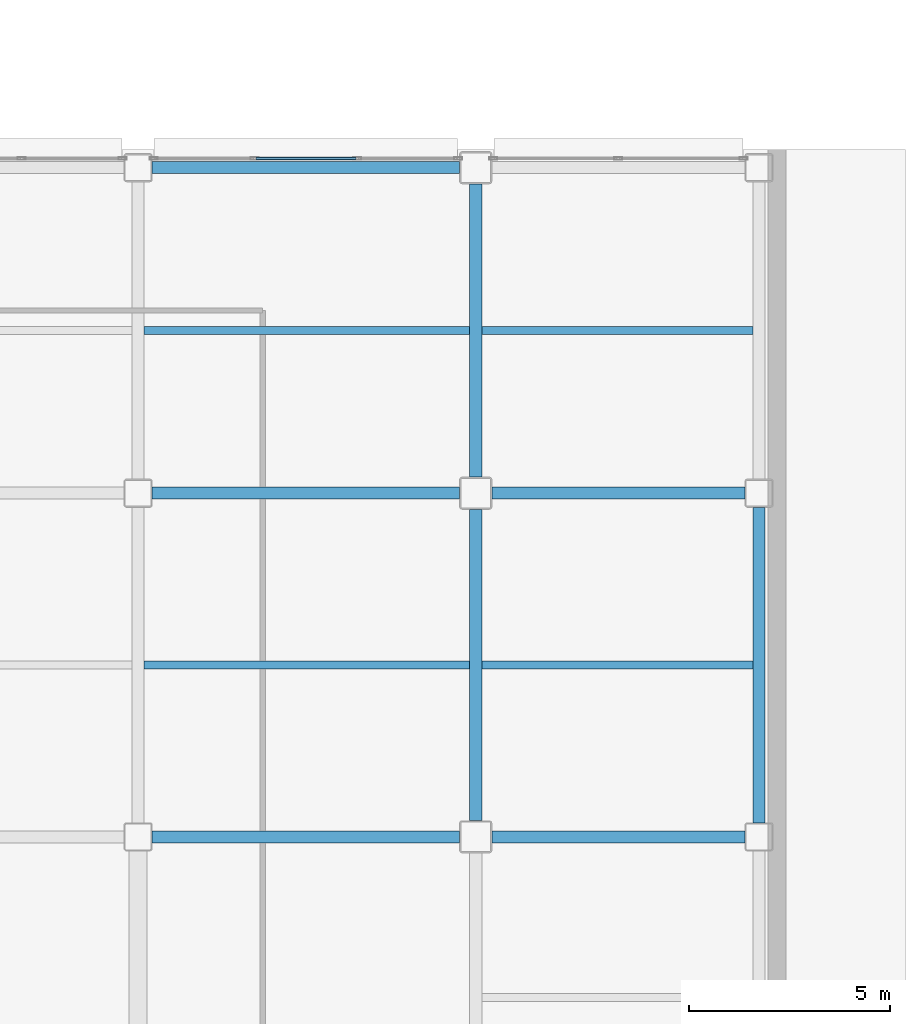
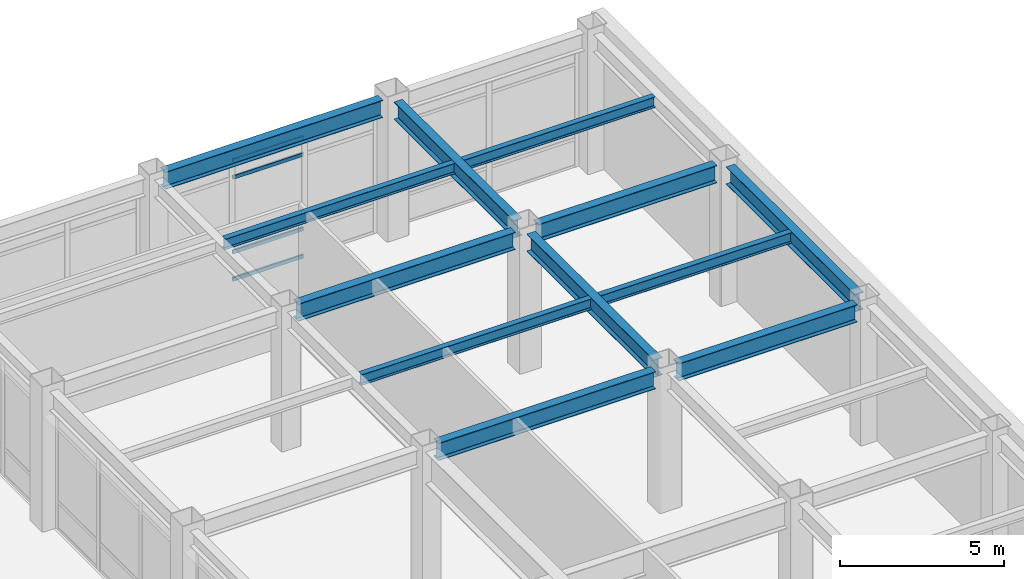
# One storey, part 107 of 165: 12 beams, 4 members, 1 element without a shape of its own.
"""IFC4 building model written with IfcOpenShell, lengths in metres."""

import ifcopenshell
import ifcopenshell.guid

model = None  # the IFC model being written
_history = None  # IfcOwnerHistory: only IFC2X3 demands one
_inside = {}  # id of a spatial element -> (the spatial element, [elements in it])
_under = {}  # id of a project, library or spatial element -> (it, [spatial elements below it])
_declared = {}  # id of a project -> (the project, [libraries it declares])
_typed = {}  # id of a type object -> (the type object, [elements of that type])
_made_of = {}  # id of a material, layer set ... -> (it, [elements and type objects made of it])


def new_model(schema):
    """Start an empty IFC model of exactly this schema.

    Asked for "IFC4X3", IfcOpenShell would pick the latest addendum, in which some entities
    have other attributes; the version numbers below select the first issue.
    IFC2X3 requires an IfcOwnerHistory on every rooted entity: one is made here for all.
    """
    global model, _history
    if schema == "IFC4X3":
        model = ifcopenshell.file(schema_version=(4, 3, 0, 0))
    else:
        model = ifcopenshell.file(schema=schema)
    _inside.clear()
    _under.clear()
    _declared.clear()
    _typed.clear()
    _made_of.clear()
    _history = None
    if model.schema == "IFC2X3":
        org = make("IfcOrganization", Name="unknown")
        user = make(
            "IfcPersonAndOrganization",
            ThePerson=make("IfcPerson", FamilyName="unknown"),
            TheOrganization=org,
        )
        app = make(
            "IfcApplication",
            ApplicationDeveloper=org,
            Version="unknown",
            ApplicationFullName="unknown",
            ApplicationIdentifier="unknown",
        )
        _history = make(
            "IfcOwnerHistory",
            OwningUser=user,
            OwningApplication=app,
            ChangeAction="ADDED",
            CreationDate=0,
        )
    return model


def make(cls, **values):
    """One entity of the class cls with the attributes given. An attribute that is None is left unset."""
    return model.create_entity(
        cls, **{name: value for name, value in values.items() if value is not None}
    )


def rooted(cls, **values):
    """An entity with a GlobalId (a new one), such as an element, a storey or a relation."""
    return make(cls, GlobalId=ifcopenshell.guid.new(), OwnerHistory=_history, **values)


def si_unit(unit_type, name, prefix=None):
    """IfcSIUnit, for example si_unit("LENGTHUNIT", "METRE", prefix="MILLI")."""
    return make("IfcSIUnit", UnitType=unit_type, Prefix=prefix, Name=name)


def assignment(units):
    """IfcUnitAssignment: the units of a project."""
    return None if units is None else make("IfcUnitAssignment", Units=units)


def point(xyz):
    """IfcCartesianPoint."""
    return None if xyz is None else make("IfcCartesianPoint", Coordinates=xyz)


def direction(xyz):
    """IfcDirection."""
    return None if xyz is None else make("IfcDirection", DirectionRatios=xyz)


def frame(location, z_axis=None, x_axis=None):
    """IfcAxis2Placement3D, a coordinate frame: its origin and axes. An axis left out is left unset."""
    return make(
        "IfcAxis2Placement3D",
        Location=point(location),
        Axis=direction(z_axis),
        RefDirection=direction(x_axis),
    )


def frame_2d(location, x_axis=None):
    """IfcAxis2Placement2D, a coordinate frame in the plane: its origin and x axis."""
    return make(
        "IfcAxis2Placement2D", Location=point(location), RefDirection=direction(x_axis)
    )


def origin():
    """The frame at (0, 0, 0) with its axes left unset."""
    return frame((0.0, 0.0, 0.0))


def origin_2d():
    """The frame at (0, 0) in the plane with its x axis left unset."""
    return frame_2d((0.0, 0.0))


def place(relative_to, where):
    """IfcLocalPlacement: puts the frame where relative to a parent placement (None: the world)."""
    return make(
        "IfcLocalPlacement", PlacementRelTo=relative_to, RelativePlacement=where
    )


def context(
    kind, dimensions, precision=None, world=None, true_north=None, identifier=None
):
    """IfcGeometricRepresentationContext, for example the 3D "Model" context."""
    return make(
        "IfcGeometricRepresentationContext",
        ContextIdentifier=identifier,
        ContextType=kind,
        CoordinateSpaceDimension=dimensions,
        Precision=precision,
        WorldCoordinateSystem=world,
        TrueNorth=true_north,
    )


def subcontext(parent, identifier, kind, view, scale=None):
    """IfcGeometricRepresentationSubContext, for example "Body" below "Model"."""
    return make(
        "IfcGeometricRepresentationSubContext",
        ContextIdentifier=identifier,
        ContextType=kind,
        ParentContext=parent,
        TargetScale=scale,
        TargetView=view,
    )


def project(units=None, contexts=None):
    """IfcProject with its units and contexts."""
    return rooted(
        "IfcProject",
        Name="project",
        RepresentationContexts=contexts,
        UnitsInContext=assignment(units),
    )


def spatial(cls, under=None, at=None, **own):
    """A site, building, storey or space (cls), placed at a placement, below another one or the project."""
    s = rooted(cls, ObjectPlacement=at, **own)
    if under is not None:
        _under.setdefault(under.id(), (under, []))[1].append(s)
    return s


def profile(cls, at=None, kind="AREA", **sizes):
    """A parametric profile (cls). Its sizes go by their IFC names, for example OverallWidth=200.0."""
    return make(cls, ProfileType=kind, Position=at, **sizes)


def hollow_rectangle(**sizes):
    """IfcRectangleHollowProfileDef."""
    return profile("IfcRectangleHollowProfileDef", **sizes)


def i_section(**sizes):
    """IfcIShapeProfileDef."""
    return profile("IfcIShapeProfileDef", **sizes)


def extrude(swept, where, along, depth):
    """IfcExtrudedAreaSolid: the profile swept, set in the frame where, extruded along a direction by depth."""
    return make(
        "IfcExtrudedAreaSolid",
        SweptArea=swept,
        Position=where,
        ExtrudedDirection=direction(along),
        Depth=depth,
    )


def shape(context_of_items, identifier, shape_type, items):
    """IfcShapeRepresentation: the items that make up one representation, for example the "Body"."""
    return make(
        "IfcShapeRepresentation",
        ContextOfItems=context_of_items,
        RepresentationIdentifier=identifier,
        RepresentationType=shape_type,
        Items=items,
    )


def material(Name=None, Category=None):
    """IfcMaterial."""
    return make("IfcMaterial", Name=Name, Category=Category)


def layer(
    of_material, thickness, ventilated=None, Name=None, Category=None, Priority=None
):
    """IfcMaterialLayer: one layer of a wall or slab, of a material (None: an air gap)."""
    return make(
        "IfcMaterialLayer",
        Material=of_material,
        LayerThickness=thickness,
        IsVentilated=ventilated,
        Name=Name,
        Category=Category,
        Priority=Priority,
    )


def layer_set(layers, Name=None):
    """IfcMaterialLayerSet."""
    return make("IfcMaterialLayerSet", MaterialLayers=layers, LayerSetName=Name)


def material_profile(
    of_material, cross_section, Name=None, Category=None, Priority=None
):
    """IfcMaterialProfile: a cross section and its material."""
    return make(
        "IfcMaterialProfile",
        Name=Name,
        Material=of_material,
        Profile=cross_section,
        Priority=Priority,
        Category=Category,
    )


def profile_set(profiles, Name=None, composite=None):
    """IfcMaterialProfileSet."""
    return make(
        "IfcMaterialProfileSet",
        Name=Name,
        MaterialProfiles=profiles,
        CompositeProfile=composite,
    )


def made_of(thing, what):
    """Note that an element or type object is made of a material, layer set ...; save() writes the relation."""
    if what is not None:
        _made_of.setdefault(what.id(), (what, []))[1].append(thing)
    return thing


def type_object(cls, material=None, **own):
    """A type object (cls), such as IfcWallType, which elements share."""
    return made_of(rooted(cls, **own), material)


def element(
    cls,
    number,
    at=None,
    inside=None,
    cuts=None,
    type_object=None,
    material=None,
    context=None,
    identifier="Body",
    shape_type=None,
    held_by="IfcProductDefinitionShape",
    body=None,
    shapes=None,
    **own,
):
    """One element of the class cls, such as IfcWall. Its Tag is "e" and its number.

    at: its placement. inside: the storey or other place that contains it. cuts: it is an
    opening in that element (IfcRelVoidsElement). A single representation is given by context,
    identifier, shape_type and body (its items); several are given by shapes. held_by: the class
    of the entity that holds the representations. save() writes the other relations.
    """
    e = rooted(cls, Tag="e%d" % number, ObjectPlacement=at, **own)
    if body is not None:
        shapes = [shape(context, identifier, shape_type, body)]
    if shapes is not None:
        e.Representation = make(held_by, Representations=shapes)
    if inside is not None:
        _inside.setdefault(inside.id(), (inside, []))[1].append(e)
    if cuts is not None:
        rooted(
            "IfcRelVoidsElement", RelatingBuildingElement=cuts, RelatedOpeningElement=e
        )
    if type_object is not None:
        _typed.setdefault(type_object.id(), (type_object, []))[1].append(e)
    return made_of(e, material)


def aggregate(whole, parts):
    """IfcRelAggregates: a whole, such as a stair, and the parts it consists of."""
    return rooted("IfcRelAggregates", RelatingObject=whole, RelatedObjects=parts)


def save(model, path):
    """Write the relations noted so far, then the file.

    IfcRelAggregates (storeys below a building ...), IfcRelContainedInSpatialStructure (elements
    in a storey), IfcRelDefinesByType, IfcRelAssociatesMaterial and IfcRelDeclares: one each for
    every whole, place, type object, material and project.
    """
    for whole, parts in _under.values():
        aggregate(whole, parts)
    for where, things in _inside.values():
        rooted(
            "IfcRelContainedInSpatialStructure",
            RelatedElements=things,
            RelatingStructure=where,
        )
    for kind, things in _typed.values():
        rooted("IfcRelDefinesByType", RelatedObjects=things, RelatingType=kind)
    for what, things in _made_of.values():
        rooted("IfcRelAssociatesMaterial", RelatedObjects=things, RelatingMaterial=what)
    for by, libraries in _declared.values():
        rooted("IfcRelDeclares", RelatingContext=by, RelatedDefinitions=libraries)
    model.write(path)


model = new_model("IFC4")

# Units and contexts
model_context = context("Model", 3, precision=1e-05, world=origin(), true_north=direction((0.0, 1.0)))
body_context = subcontext(model_context, "Body", "Model", "MODEL_VIEW")
ifc_project = project(units=[si_unit("LENGTHUNIT", "METRE"), si_unit("AREAUNIT", "SQUARE_METRE"), si_unit("VOLUMEUNIT", "CUBIC_METRE"), si_unit("PLANEANGLEUNIT", "RADIAN"), si_unit("MASSUNIT", "GRAM", prefix="KILO")], contexts=[model_context])

# Site, building, storey
site_placement = place(None, origin())
site = spatial("IfcSite", under=ifc_project, at=site_placement, CompositionType="ELEMENT")
building_placement = place(site_placement, origin())
building = spatial("IfcBuilding", under=site, at=building_placement, Name="Kazehara Bluff Congress Hotel", CompositionType="ELEMENT")
storey_placement = place(building_placement, origin())
storey = spatial("IfcBuildingStorey", under=building, at=storey_placement, Name="L00", CompositionType="ELEMENT", Elevation=0.0)

# Curtain wall, members
ifc_material_1 = material(Name="Anodised aluminium", Category="aluminium")
ifc_layer = layer(ifc_material_1, 0.159912109375)
ifc_layer_set = layer_set([ifc_layer], Name="Anodised aluminium")
curtain_wall_type = type_object("IfcCurtainWallType", Name="TP-CW-19", PredefinedType="NOTDEFINED", material=ifc_layer_set)
curtain_wall_placement = place(storey_placement, origin())
curtain_wall = element("IfcCurtainWall", 1, at=curtain_wall_placement, inside=storey, type_object=curtain_wall_type, Name="L00 curtain wall CW-19 CW-ENC-V5-L00-15627-11378", PredefinedType="NOTDEFINED")
ifc_material_2 = material(Name="Anodised aluminium", Category="aluminium")
ifc_material_profile_1 = material_profile(ifc_material_2, hollow_rectangle(XDim=0.06494140625, YDim=0.139892578125, WallThickness=0.00390625, InnerFilletRadius=0.00390625, OuterFilletRadius=0.008056640625, at=origin_2d()))
ifc_profile_set_1 = profile_set([ifc_material_profile_1], Name="Anodised aluminium")
member_type = type_object("IfcMemberType", Name="TP-CWT-02", PredefinedType="USERDEFINED", material=ifc_profile_set_1)
member_1_placement = place(storey_placement, frame((155.034912109375, 113.780029296875, 0.032470703125), z_axis=(1.0, 0.0, 0.0), x_axis=(0.0, 1.0, 0.0)))
member_1 = element("IfcMember", 2, at=member_1_placement, type_object=member_type, Name="CW-19 transom 2.1", ObjectType="TRANSOM", PredefinedType="USERDEFINED", context=body_context, shape_type="SweptSolid", body=[
    extrude(hollow_rectangle(XDim=0.06494140625, YDim=0.139892578125, WallThickness=0.00390625, InnerFilletRadius=0.00390625, OuterFilletRadius=0.008056640625, at=origin_2d()), origin(), (0.0, 0.0, 1.0), 2.47998046875),
])
member_2_placement = place(storey_placement, frame((155.034912109375, 113.780029296875, 1.050048828125), z_axis=(1.0, 0.0, 0.0), x_axis=(0.0, 1.0, 0.0)))
member_2 = element("IfcMember", 3, at=member_2_placement, type_object=member_type, Name="CW-19 transom 2.2", ObjectType="TRANSOM", PredefinedType="USERDEFINED", context=body_context, shape_type="SweptSolid", body=[
    extrude(hollow_rectangle(XDim=0.06494140625, YDim=0.139892578125, WallThickness=0.00390625, InnerFilletRadius=0.00390625, OuterFilletRadius=0.008056640625, at=origin_2d()), origin(), (0.0, 0.0, 1.0), 2.47998046875),
])
member_3_placement = place(storey_placement, frame((155.034912109375, 113.780029296875, 3.824951171875), z_axis=(1.0, 0.0, 0.0), x_axis=(0.0, 1.0, 0.0)))
member_3 = element("IfcMember", 4, at=member_3_placement, type_object=member_type, Name="CW-19 transom 2.3", ObjectType="TRANSOM", PredefinedType="USERDEFINED", context=body_context, shape_type="SweptSolid", body=[
    extrude(hollow_rectangle(XDim=0.06494140625, YDim=0.139892578125, WallThickness=0.00390625, InnerFilletRadius=0.00390625, OuterFilletRadius=0.008056640625, at=origin_2d()), origin(), (0.0, 0.0, 1.0), 2.47998046875),
])
member_4_placement = place(storey_placement, frame((155.034912109375, 113.780029296875, 4.4423828125), z_axis=(1.0, 0.0, 0.0), x_axis=(0.0, 1.0, 0.0)))
member_4 = element("IfcMember", 5, at=member_4_placement, type_object=member_type, Name="CW-19 transom 2.4", ObjectType="TRANSOM", PredefinedType="USERDEFINED", context=body_context, shape_type="SweptSolid", body=[
    extrude(hollow_rectangle(XDim=0.06494140625, YDim=0.139892578125, WallThickness=0.00390625, InnerFilletRadius=0.00390625, OuterFilletRadius=0.008056640625, at=origin_2d()), origin(), (0.0, 0.0, 1.0), 2.47998046875),
])
aggregate(curtain_wall, [member_1, member_2, member_3, member_4])

# Beams
ifc_material_3 = material(Name="Steel SN490B", Category="steel")
ifc_material_profile_2 = material_profile(ifc_material_3, i_section(OverallWidth=0.300048828125, OverallDepth=0.64990234375, WebThickness=0.011962890625, FlangeThickness=0.02001953125, FilletRadius=0.012939453125, at=origin_2d()))
ifc_profile_set_2 = profile_set([ifc_material_profile_2], Name="Steel SN490B")
beam_type_1 = type_object("IfcBeamType", Name="TP-G-03", PredefinedType="BEAM", material=ifc_profile_set_2)
beam_1_placement = place(storey_placement, frame((160.5, 97.300048828125, 4.824951171875), z_axis=(0.0, 1.0, 0.0), x_axis=(-1.0, 0.0, 0.0)))
element("IfcBeam", 6, at=beam_1_placement, inside=storey, type_object=beam_type_1, Name="L00 girder G-03 258", PredefinedType="BEAM", context=body_context, shape_type="SweptSolid", body=[
    extrude(i_section(OverallWidth=0.300048828125, OverallDepth=0.64990234375, WebThickness=0.011962890625, FlangeThickness=0.02001953125, FilletRadius=0.012939453125, at=origin_2d()), origin(), (0.0, 0.0, 1.0), 7.75),
])
beam_2_placement = place(storey_placement, frame((160.5, 105.85009765625, 4.824951171875), z_axis=(0.0, 1.0, 0.0), x_axis=(-1.0, 0.0, 0.0)))
element("IfcBeam", 7, at=beam_2_placement, inside=storey, type_object=beam_type_1, Name="L00 girder G-03 259", PredefinedType="BEAM", context=body_context, shape_type="SweptSolid", body=[
    extrude(i_section(OverallWidth=0.300048828125, OverallDepth=0.64990234375, WebThickness=0.011962890625, FlangeThickness=0.02001953125, FilletRadius=0.012939453125, at=origin_2d()), origin(), (0.0, 0.0, 1.0), 7.2998046875),
])
beam_3_placement = place(storey_placement, frame((167.550048828125, 97.25, 4.824951171875), z_axis=(0.0, 1.0, 0.0), x_axis=(-1.0, 0.0, 0.0)))
element("IfcBeam", 8, at=beam_3_placement, inside=storey, type_object=beam_type_1, Name="L00 girder G-03 269", PredefinedType="BEAM", context=body_context, shape_type="SweptSolid", body=[
    extrude(i_section(OverallWidth=0.300048828125, OverallDepth=0.64990234375, WebThickness=0.011962890625, FlangeThickness=0.02001953125, FilletRadius=0.012939453125, at=origin_2d()), origin(), (0.0, 0.0, 1.0), 7.85009765625),
])
beam_4_placement = place(storey_placement, frame((152.449951171875, 96.89990234375, 4.824951171875), z_axis=(1.0, 0.0, 0.0), x_axis=(0.0, 1.0, 0.0)))
element("IfcBeam", 9, at=beam_4_placement, inside=storey, type_object=beam_type_1, Name="L00 girder G-03 311", PredefinedType="BEAM", context=body_context, shape_type="SweptSolid", body=[
    extrude(i_section(OverallWidth=0.300048828125, OverallDepth=0.64990234375, WebThickness=0.011962890625, FlangeThickness=0.02001953125, FilletRadius=0.012939453125, at=origin_2d()), origin(), (0.0, 0.0, 1.0), 7.650146484375),
])
beam_5_placement = place(storey_placement, frame((160.89990234375, 96.89990234375, 4.824951171875), z_axis=(1.0, 0.0, 0.0), x_axis=(0.0, 1.0, 0.0)))
element("IfcBeam", 10, at=beam_5_placement, inside=storey, type_object=beam_type_1, Name="L00 girder G-03 312", PredefinedType="BEAM", context=body_context, shape_type="SweptSolid", body=[
    extrude(i_section(OverallWidth=0.300048828125, OverallDepth=0.64990234375, WebThickness=0.011962890625, FlangeThickness=0.02001953125, FilletRadius=0.012939453125, at=origin_2d()), origin(), (0.0, 0.0, 1.0), 6.300048828125),
])
beam_6_placement = place(storey_placement, frame((152.449951171875, 105.449951171875, 4.824951171875), z_axis=(1.0, 0.0, 0.0), x_axis=(0.0, 1.0, 0.0)))
element("IfcBeam", 11, at=beam_6_placement, inside=storey, type_object=beam_type_1, Name="L00 girder G-03 314", PredefinedType="BEAM", context=body_context, shape_type="SweptSolid", body=[
    extrude(i_section(OverallWidth=0.300048828125, OverallDepth=0.64990234375, WebThickness=0.011962890625, FlangeThickness=0.02001953125, FilletRadius=0.012939453125, at=origin_2d()), origin(), (0.0, 0.0, 1.0), 7.650146484375),
])
beam_7_placement = place(storey_placement, frame((160.89990234375, 105.449951171875, 4.824951171875), z_axis=(1.0, 0.0, 0.0), x_axis=(0.0, 1.0, 0.0)))
element("IfcBeam", 12, at=beam_7_placement, inside=storey, type_object=beam_type_1, Name="L00 girder G-03 315", PredefinedType="BEAM", context=body_context, shape_type="SweptSolid", body=[
    extrude(i_section(OverallWidth=0.300048828125, OverallDepth=0.64990234375, WebThickness=0.011962890625, FlangeThickness=0.02001953125, FilletRadius=0.012939453125, at=origin_2d()), origin(), (0.0, 0.0, 1.0), 6.300048828125),
])
beam_8_placement = place(storey_placement, frame((152.449951171875, 113.550048828125, 4.824951171875), z_axis=(1.0, 0.0, 0.0), x_axis=(0.0, 1.0, 0.0)))
element("IfcBeam", 13, at=beam_8_placement, inside=storey, type_object=beam_type_1, Name="L00 girder G-03 317", PredefinedType="BEAM", context=body_context, shape_type="SweptSolid", body=[
    extrude(i_section(OverallWidth=0.300048828125, OverallDepth=0.64990234375, WebThickness=0.011962890625, FlangeThickness=0.02001953125, FilletRadius=0.012939453125, at=origin_2d()), origin(), (0.0, 0.0, 1.0), 7.650146484375),
])
ifc_material_4 = material(Name="Steel SN400B", Category="steel")
ifc_material_profile_3 = material_profile(ifc_material_4, i_section(OverallWidth=0.199951171875, OverallDepth=0.39990234375, WebThickness=0.008056640625, FlangeThickness=0.012939453125, FilletRadius=0.012939453125, at=origin_2d()))
ifc_profile_set_3 = profile_set([ifc_material_profile_3], Name="Steel SN400B")
beam_type_2 = type_object("IfcBeamType", Name="TP-J-03", PredefinedType="JOIST", material=ifc_profile_set_3)
for number, where, z_axis, x_axis, name in (
    (14, (152.25, 101.175048828125, 4.949951171875), (1.0, 0.0, 0.0), (0.0, 1.0, 0.0), "L00 secondary joist J-03 67"),
    (15, (152.25, 109.5, 4.949951171875), (1.0, 0.0, 0.0), (0.0, 1.0, 0.0), "L00 secondary joist J-03 68"),
):
    element("IfcBeam", number, at=place(storey_placement, frame(where, z_axis=z_axis, x_axis=x_axis)), inside=storey, type_object=beam_type_2, Name=name, PredefinedType="JOIST", context=body_context, shape_type="SweptSolid", body=[
        extrude(i_section(OverallWidth=0.199951171875, OverallDepth=0.39990234375, WebThickness=0.008056640625, FlangeThickness=0.012939453125, FilletRadius=0.012939453125, at=origin_2d()), origin(), (0.0, 0.0, 1.0), 8.10009765625),
    ])
for number, where, z_axis, x_axis, name in (
    (16, (160.64990234375, 101.175048828125, 4.949951171875), (1.0, 0.0, 0.0), (0.0, 1.0, 0.0), "L00 secondary joist J-03 78"),
    (17, (160.64990234375, 109.5, 4.949951171875), (1.0, 0.0, 0.0), (0.0, 1.0, 0.0), "L00 secondary joist J-03 79"),
):
    element("IfcBeam", number, at=place(storey_placement, frame(where, z_axis=z_axis, x_axis=x_axis)), inside=storey, type_object=beam_type_2, Name=name, PredefinedType="JOIST", context=body_context, shape_type="SweptSolid", body=[
        extrude(i_section(OverallWidth=0.199951171875, OverallDepth=0.39990234375, WebThickness=0.008056640625, FlangeThickness=0.012939453125, FilletRadius=0.012939453125, at=origin_2d()), origin(), (0.0, 0.0, 1.0), 6.75),
    ])

save(model, "model.ifc")
